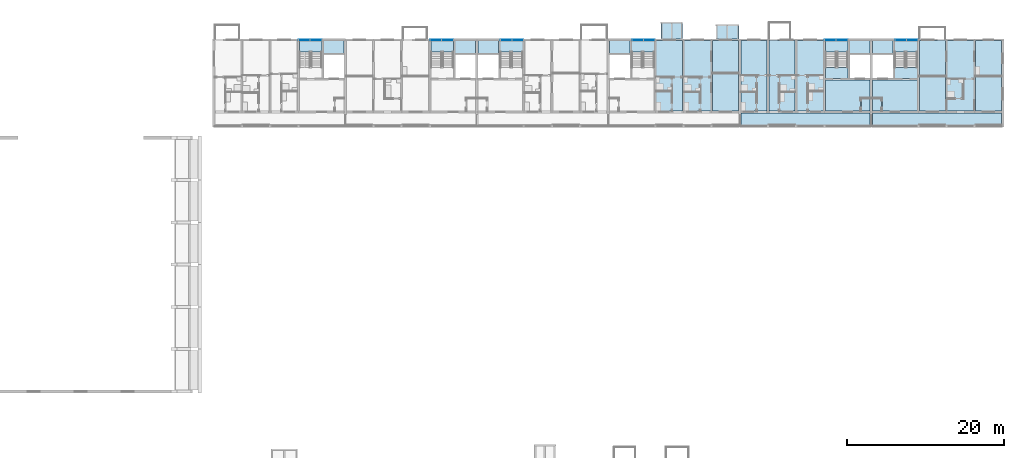
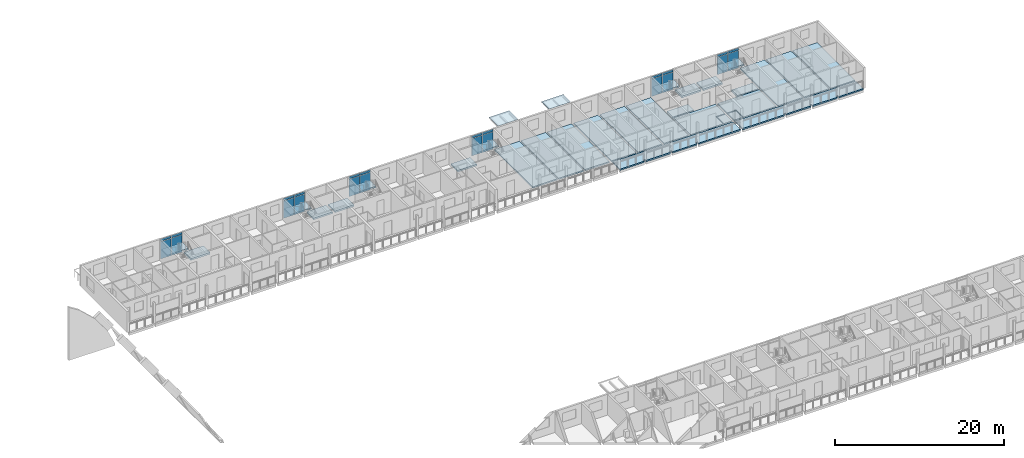
# One storey, part 29 of 100: 31 slabs, 24 plates, 12 elements without a shape of their own.
"""IFC4 building model written with IfcOpenShell, lengths in metres."""

from ifc_helpers import new_model, si_unit, direction, frame, origin, origin_2d, place, context, subcontext, project, spatial, polyline, rectangle, outline, extrude, material, layer, layer_set, type_object, element, aggregate, save


model = new_model("IFC4")

# Units and contexts
model_context = context("Model", 3, precision=1e-05, world=origin(), true_north=direction((0.0, 1.0)))
body_context = subcontext(model_context, "Body", "Model", "MODEL_VIEW")
ifc_project = project(units=[si_unit("LENGTHUNIT", "METRE"), si_unit("AREAUNIT", "SQUARE_METRE"), si_unit("VOLUMEUNIT", "CUBIC_METRE"), si_unit("PLANEANGLEUNIT", "RADIAN"), si_unit("MASSUNIT", "GRAM", prefix="KILO")], contexts=[model_context])

# Site, building, storey
site_placement = place(None, origin())
site = spatial("IfcSite", under=ifc_project, at=site_placement, CompositionType="ELEMENT")
building_placement = place(site_placement, origin())
building = spatial("IfcBuilding", under=site, at=building_placement, Name="Ridgestep Commons", CompositionType="ELEMENT")
storey_placement = place(building_placement, frame((0.0, 0.0, 9.0)))
storey = spatial("IfcBuildingStorey", under=building, at=storey_placement, Name="L03", CompositionType="ELEMENT", Elevation=9.0)

# Slabs
ifc_material_1 = material(Name="Precast concrete C40/50", Category="concrete")
ifc_layer_1 = layer(ifc_material_1, 0.199951171875)
ifc_layer_set_1 = layer_set([ifc_layer_1], Name="Gallery slab 200")
slab_type_1 = type_object("IfcSlabType", Name="Gallery slab 200", PredefinedType="FLOOR", material=ifc_layer_set_1)
slab_1_placement = place(storey_placement, frame((0.0, 0.0, -0.199951171875)))
element("IfcSlab", 1, at=slab_1_placement, inside=storey, type_object=slab_type_1, Name="Gallery slab C5 L03", PredefinedType="FLOOR", context=body_context, shape_type="SweptSolid", body=[
    extrude(outline(polyline([(230.64990234375, 67.800048828125), (214.14990234375, 67.800048828125), (214.14990234375, 66.0), (217.47509765625, 66.0), (217.47509765625, 66.25), (217.72509765625, 66.25), (217.72509765625, 66.0), (221.074951171875, 66.0), (221.074951171875, 66.25), (221.324951171875, 66.25), (221.324951171875, 66.0), (224.675048828125, 66.0), (224.675048828125, 66.25), (224.925048828125, 66.25), (224.925048828125, 66.0), (230.64990234375, 66.0), (230.64990234375, 67.800048828125)])), origin(), (0.0, 0.0, 1.0), 0.199951171875),
])
slab_2_placement = place(storey_placement, frame((0.0, 0.0, -0.199951171875)))
element("IfcSlab", 2, at=slab_2_placement, inside=storey, type_object=slab_type_1, Name="Gallery slab C6 L03", PredefinedType="FLOOR", context=body_context, shape_type="SweptSolid", body=[
    extrude(outline(polyline([(247.449951171875, 67.800048828125), (230.949951171875, 67.800048828125), (230.949951171875, 66.0), (236.675048828125, 66.0), (236.675048828125, 66.25), (236.925048828125, 66.25), (236.925048828125, 66.0), (240.27490234375, 66.0), (240.27490234375, 66.25), (240.52490234375, 66.25), (240.52490234375, 66.0), (243.875, 66.0), (243.875, 66.25), (244.125, 66.25), (244.125, 66.0), (247.449951171875, 66.0), (247.449951171875, 67.800048828125)])), origin(), (0.0, 0.0, 1.0), 0.199951171875),
])

# Curtain wall, plates
ifc_material_2 = material(Name="Aluminium 6063-T6 and glass", Category="aluminium")
curtain_wall_type = type_object("IfcCurtainWallType", Name="Curtain wall stair strip", PredefinedType="NOTDEFINED", material=ifc_material_2)
curtain_wall_1_placement = place(storey_placement, origin())
curtain_wall_1 = element("IfcCurtainWall", 3, at=curtain_wall_1_placement, inside=storey, type_object=curtain_wall_type, Name="Curtain wall C1C level 03", PredefinedType="NOTDEFINED")
ifc_material_3 = material(Name="Glass laminated 6/16/6 low-emissivity", Category="glass")
ifc_layer_2 = layer(ifc_material_3, 0.028076171875)
ifc_layer_set_2 = layer_set([ifc_layer_2], Name="Glazing panel 28")
plate_type_1 = type_object("IfcPlateType", Name="Glazing panel 28", PredefinedType="CURTAIN_PANEL", material=ifc_layer_set_2)
plate_1_placement = place(storey_placement, frame((158.371337890625, 77.080078125, 0.06005859375), z_axis=(0.0, 0.0, 1.0), x_axis=(1.0, 0.0, 0.0)))
plate_1 = element("IfcPlate", 4, at=plate_1_placement, type_object=plate_type_1, Name="CW1 panel 1.1", PredefinedType="CURTAIN_PANEL", context=body_context, shape_type="SweptSolid", body=[
    extrude(rectangle(XDim=1.422607421875, YDim=0.028076171875, at=origin_2d()), origin(), (0.0, 0.0, 1.0), 2.5),
])
plate_2_placement = place(storey_placement, frame((159.853759765625, 77.080078125, 0.06005859375), z_axis=(0.0, 0.0, 1.0), x_axis=(1.0, 0.0, 0.0)))
plate_2 = element("IfcPlate", 5, at=plate_2_placement, type_object=plate_type_1, Name="CW1 panel 2.1", PredefinedType="CURTAIN_PANEL", context=body_context, shape_type="SweptSolid", body=[
    extrude(rectangle(XDim=1.422607421875, YDim=0.028076171875, at=origin_2d()), origin(), (0.0, 0.0, 1.0), 2.5),
])

curtain_wall_2_placement = place(storey_placement, origin())
curtain_wall_2 = element("IfcCurtainWall", 6, at=curtain_wall_2_placement, inside=storey, type_object=curtain_wall_type, Name="Curtain wall C2C level 03", PredefinedType="NOTDEFINED")
plate_3_placement = place(storey_placement, frame((175.171142578125, 77.080078125, 0.06005859375), z_axis=(0.0, 0.0, 1.0), x_axis=(1.0, 0.0, 0.0)))
plate_3 = element("IfcPlate", 7, at=plate_3_placement, type_object=plate_type_1, Name="CW1 panel 1.1", PredefinedType="CURTAIN_PANEL", context=body_context, shape_type="SweptSolid", body=[
    extrude(rectangle(XDim=1.422607421875, YDim=0.028076171875, at=origin_2d()), origin(), (0.0, 0.0, 1.0), 2.5),
])
plate_4_placement = place(storey_placement, frame((176.65380859375, 77.080078125, 0.06005859375), z_axis=(0.0, 0.0, 1.0), x_axis=(1.0, 0.0, 0.0)))
plate_4 = element("IfcPlate", 8, at=plate_4_placement, type_object=plate_type_1, Name="CW1 panel 2.1", PredefinedType="CURTAIN_PANEL", context=body_context, shape_type="SweptSolid", body=[
    extrude(rectangle(XDim=1.422607421875, YDim=0.028076171875, at=origin_2d()), origin(), (0.0, 0.0, 1.0), 2.5),
])

curtain_wall_3_placement = place(storey_placement, origin())
curtain_wall_3 = element("IfcCurtainWall", 9, at=curtain_wall_3_placement, inside=storey, type_object=curtain_wall_type, Name="Curtain wall C3C level 03", PredefinedType="NOTDEFINED")
plate_5_placement = place(storey_placement, frame((184.146240234375, 77.080078125, 0.06005859375), z_axis=(0.0, 0.0, 1.0), x_axis=(1.0, 0.0, 0.0)))
plate_5 = element("IfcPlate", 10, at=plate_5_placement, type_object=plate_type_1, Name="CW1 panel 1.1", PredefinedType="CURTAIN_PANEL", context=body_context, shape_type="SweptSolid", body=[
    extrude(rectangle(XDim=1.422607421875, YDim=0.028076171875, at=origin_2d()), origin(), (0.0, 0.0, 1.0), 2.5),
])
plate_6_placement = place(storey_placement, frame((185.628662109375, 77.080078125, 0.06005859375), z_axis=(0.0, 0.0, 1.0), x_axis=(1.0, 0.0, 0.0)))
plate_6 = element("IfcPlate", 11, at=plate_6_placement, type_object=plate_type_1, Name="CW1 panel 2.1", PredefinedType="CURTAIN_PANEL", context=body_context, shape_type="SweptSolid", body=[
    extrude(rectangle(XDim=1.422607421875, YDim=0.028076171875, at=origin_2d()), origin(), (0.0, 0.0, 1.0), 2.5),
])

curtain_wall_4_placement = place(storey_placement, origin())
curtain_wall_4 = element("IfcCurtainWall", 12, at=curtain_wall_4_placement, inside=storey, type_object=curtain_wall_type, Name="Curtain wall C4C level 03", PredefinedType="NOTDEFINED")
plate_7_placement = place(storey_placement, frame((200.9462890625, 77.080078125, 0.06005859375), z_axis=(0.0, 0.0, 1.0), x_axis=(1.0, 0.0, 0.0)))
plate_7 = element("IfcPlate", 13, at=plate_7_placement, type_object=plate_type_1, Name="CW1 panel 1.1", PredefinedType="CURTAIN_PANEL", context=body_context, shape_type="SweptSolid", body=[
    extrude(rectangle(XDim=1.422607421875, YDim=0.028076171875, at=origin_2d()), origin(), (0.0, 0.0, 1.0), 2.5),
])
plate_8_placement = place(storey_placement, frame((202.4287109375, 77.080078125, 0.06005859375), z_axis=(0.0, 0.0, 1.0), x_axis=(1.0, 0.0, 0.0)))
plate_8 = element("IfcPlate", 14, at=plate_8_placement, type_object=plate_type_1, Name="CW1 panel 2.1", PredefinedType="CURTAIN_PANEL", context=body_context, shape_type="SweptSolid", body=[
    extrude(rectangle(XDim=1.422607421875, YDim=0.028076171875, at=origin_2d()), origin(), (0.0, 0.0, 1.0), 2.5),
])

curtain_wall_5_placement = place(storey_placement, origin())
curtain_wall_5 = element("IfcCurtainWall", 15, at=curtain_wall_5_placement, inside=storey, type_object=curtain_wall_type, Name="Curtain wall C5C level 03", PredefinedType="NOTDEFINED")
plate_9_placement = place(storey_placement, frame((225.5712890625, 77.080078125, 0.06005859375), z_axis=(0.0, 0.0, 1.0), x_axis=(1.0, 0.0, 0.0)))
plate_9 = element("IfcPlate", 16, at=plate_9_placement, type_object=plate_type_1, Name="CW1 panel 1.1", PredefinedType="CURTAIN_PANEL", context=body_context, shape_type="SweptSolid", body=[
    extrude(rectangle(XDim=1.422607421875, YDim=0.028076171875, at=origin_2d()), origin(), (0.0, 0.0, 1.0), 2.5),
])
plate_10_placement = place(storey_placement, frame((227.0537109375, 77.080078125, 0.06005859375), z_axis=(0.0, 0.0, 1.0), x_axis=(1.0, 0.0, 0.0)))
plate_10 = element("IfcPlate", 17, at=plate_10_placement, type_object=plate_type_1, Name="CW1 panel 2.1", PredefinedType="CURTAIN_PANEL", context=body_context, shape_type="SweptSolid", body=[
    extrude(rectangle(XDim=1.422607421875, YDim=0.028076171875, at=origin_2d()), origin(), (0.0, 0.0, 1.0), 2.5),
])

curtain_wall_6_placement = place(storey_placement, origin())
curtain_wall_6 = element("IfcCurtainWall", 18, at=curtain_wall_6_placement, inside=storey, type_object=curtain_wall_type, Name="Curtain wall C6C level 03", PredefinedType="NOTDEFINED")
plate_11_placement = place(storey_placement, frame((234.546142578125, 77.080078125, 0.06005859375), z_axis=(0.0, 0.0, 1.0), x_axis=(1.0, 0.0, 0.0)))
plate_11 = element("IfcPlate", 19, at=plate_11_placement, type_object=plate_type_1, Name="CW1 panel 1.1", PredefinedType="CURTAIN_PANEL", context=body_context, shape_type="SweptSolid", body=[
    extrude(rectangle(XDim=1.422607421875, YDim=0.028076171875, at=origin_2d()), origin(), (0.0, 0.0, 1.0), 2.5),
])
plate_12_placement = place(storey_placement, frame((236.02880859375, 77.080078125, 0.06005859375), z_axis=(0.0, 0.0, 1.0), x_axis=(1.0, 0.0, 0.0)))
plate_12 = element("IfcPlate", 20, at=plate_12_placement, type_object=plate_type_1, Name="CW1 panel 2.1", PredefinedType="CURTAIN_PANEL", context=body_context, shape_type="SweptSolid", body=[
    extrude(rectangle(XDim=1.422607421875, YDim=0.028076171875, at=origin_2d()), origin(), (0.0, 0.0, 1.0), 2.5),
])

# Slabs
ifc_material_4 = material(Name="Precast concrete C50/60", Category="concrete")
ifc_layer_3 = layer(ifc_material_4, 0.199951171875)
ifc_layer_set_3 = layer_set([ifc_layer_3], Name="Hollow-core plank 200")
slab_type_2 = type_object("IfcSlabType", Name="Hollow-core plank 200", PredefinedType="FLOOR", material=ifc_layer_set_3)
slab_3_placement = place(storey_placement, frame((0.0, 0.0, -0.199951171875)))
element("IfcSlab", 21, at=slab_3_placement, inside=storey, type_object=slab_type_2, Name="Floor plank C4T3 L03", PredefinedType="FLOOR", context=body_context, shape_type="SweptSolid", body=[
    extrude(outline(polyline([(206.699951171875, 68.0), (206.699951171875, 77.0), (203.324951171875, 77.0), (203.324951171875, 68.0), (206.699951171875, 68.0)])), origin(), (0.0, 0.0, 1.0), 0.199951171875),
])
slab_4_placement = place(storey_placement, frame((0.0, 0.0, -0.199951171875)))
element("IfcSlab", 22, at=slab_4_placement, inside=storey, type_object=slab_type_2, Name="Floor plank C4T2 L03", PredefinedType="FLOOR", context=body_context, shape_type="SweptSolid", body=[
    extrude(outline(polyline([(210.300048828125, 68.0), (210.300048828125, 77.0), (206.89990234375, 77.0), (206.89990234375, 68.0), (210.300048828125, 68.0)])), origin(), (0.0, 0.0, 1.0), 0.199951171875),
])
slab_5_placement = place(storey_placement, frame((0.0, 0.0, -0.199951171875)))
element("IfcSlab", 23, at=slab_5_placement, inside=storey, type_object=slab_type_2, Name="Floor plank C4T1 L03", PredefinedType="FLOOR", context=body_context, shape_type="SweptSolid", body=[
    extrude(outline(polyline([(213.85009765625, 68.0), (213.85009765625, 77.0), (210.5, 77.0), (210.5, 68.0), (213.85009765625, 68.0)])), origin(), (0.0, 0.0, 1.0), 0.199951171875),
])
slab_6_placement = place(storey_placement, frame((0.0, 0.0, -0.199951171875)))
element("IfcSlab", 24, at=slab_6_placement, inside=storey, type_object=slab_type_2, Name="Floor plank C5T1 L03", PredefinedType="FLOOR", context=body_context, shape_type="SweptSolid", body=[
    extrude(outline(polyline([(217.47509765625, 68.0), (217.47509765625, 77.0), (214.14990234375, 77.0), (214.14990234375, 68.0), (217.47509765625, 68.0)])), origin(), (0.0, 0.0, 1.0), 0.199951171875),
])
slab_7_placement = place(storey_placement, frame((0.0, 0.0, -0.199951171875)))
element("IfcSlab", 25, at=slab_7_placement, inside=storey, type_object=slab_type_2, Name="Floor plank C5T2 L03", PredefinedType="FLOOR", context=body_context, shape_type="SweptSolid", body=[
    extrude(outline(polyline([(221.074951171875, 68.0), (221.074951171875, 77.0), (217.72509765625, 77.0), (217.72509765625, 68.0), (221.074951171875, 68.0)])), origin(), (0.0, 0.0, 1.0), 0.199951171875),
])
slab_8_placement = place(storey_placement, frame((0.0, 0.0, -0.199951171875)))
element("IfcSlab", 26, at=slab_8_placement, inside=storey, type_object=slab_type_2, Name="Floor plank C5T3 L03", PredefinedType="FLOOR", context=body_context, shape_type="SweptSolid", body=[
    extrude(outline(polyline([(224.675048828125, 68.0), (224.675048828125, 77.0), (221.324951171875, 77.0), (221.324951171875, 68.0), (224.675048828125, 68.0)])), origin(), (0.0, 0.0, 1.0), 0.199951171875),
])
slab_9_placement = place(storey_placement, frame((0.0, 0.0, -0.199951171875)))
element("IfcSlab", 27, at=slab_9_placement, inside=storey, type_object=slab_type_2, Name="Floor plank C6T3 L03", PredefinedType="FLOOR", context=body_context, shape_type="SweptSolid", body=[
    extrude(outline(polyline([(240.300048828125, 68.0), (240.300048828125, 77.0), (236.925048828125, 77.0), (236.925048828125, 68.0), (240.300048828125, 68.0)])), origin(), (0.0, 0.0, 1.0), 0.199951171875),
])
slab_10_placement = place(storey_placement, frame((0.0, 0.0, -0.199951171875)))
element("IfcSlab", 28, at=slab_10_placement, inside=storey, type_object=slab_type_2, Name="Floor plank C6T2 L03", PredefinedType="FLOOR", context=body_context, shape_type="SweptSolid", body=[
    extrude(outline(polyline([(243.89990234375, 68.0), (243.89990234375, 77.0), (240.5, 77.0), (240.5, 68.0), (243.89990234375, 68.0)])), origin(), (0.0, 0.0, 1.0), 0.199951171875),
])
slab_11_placement = place(storey_placement, frame((0.0, 0.0, -0.199951171875)))
element("IfcSlab", 29, at=slab_11_placement, inside=storey, type_object=slab_type_2, Name="Floor plank C6T1 L03", PredefinedType="FLOOR", context=body_context, shape_type="SweptSolid", body=[
    extrude(outline(polyline([(247.449951171875, 68.0), (247.449951171875, 77.0), (244.10009765625, 77.0), (244.10009765625, 68.0), (247.449951171875, 68.0)])), origin(), (0.0, 0.0, 1.0), 0.199951171875),
])
ifc_material_5 = material(Name="Precast concrete C50/60", Category="concrete")
ifc_layer_4 = layer(ifc_material_5, 0.25)
ifc_layer_set_4 = layer_set([ifc_layer_4], Name="Hollow-core plank 250")
slab_type_3 = type_object("IfcSlabType", Name="Hollow-core plank 250", PredefinedType="FLOOR", material=ifc_layer_set_4)
slab_12_placement = place(storey_placement, frame((0.0, 0.0, -0.25)))
element("IfcSlab", 30, at=slab_12_placement, inside=storey, type_object=slab_type_3, Name="Floor plank C1C L03", PredefinedType="FLOOR", context=body_context, shape_type="SweptSolid", body=[
    extrude(outline(polyline([(163.449951171875, 75.39990234375), (163.449951171875, 77.0), (160.824951171875, 77.0), (160.824951171875, 75.39990234375), (163.449951171875, 75.39990234375)])), origin(), (0.0, 0.0, 1.0), 0.25),
])
slab_13_placement = place(storey_placement, frame((0.0, 0.0, -0.25)))
element("IfcSlab", 31, at=slab_13_placement, inside=storey, type_object=slab_type_3, Name="Floor plank C2C L03", PredefinedType="FLOOR", context=body_context, shape_type="SweptSolid", body=[
    extrude(outline(polyline([(180.25, 75.39990234375), (180.25, 77.0), (177.625, 77.0), (177.625, 75.39990234375), (180.25, 75.39990234375)])), origin(), (0.0, 0.0, 1.0), 0.25),
])
slab_14_placement = place(storey_placement, frame((0.0, 0.0, -0.25)))
element("IfcSlab", 32, at=slab_14_placement, inside=storey, type_object=slab_type_3, Name="Floor plank C3C L03", PredefinedType="FLOOR", context=body_context, shape_type="SweptSolid", body=[
    extrude(outline(polyline([(183.175048828125, 77.0), (180.550048828125, 77.0), (180.550048828125, 75.39990234375), (183.175048828125, 75.39990234375), (183.175048828125, 77.0)])), origin(), (0.0, 0.0, 1.0), 0.25),
])
slab_15_placement = place(storey_placement, frame((0.0, 0.0, -0.25)))
element("IfcSlab", 33, at=slab_15_placement, inside=storey, type_object=slab_type_3, Name="Floor plank C4C L03", PredefinedType="FLOOR", context=body_context, shape_type="SweptSolid", body=[
    extrude(outline(polyline([(199.97509765625, 77.0), (197.35009765625, 77.0), (197.35009765625, 75.39990234375), (199.97509765625, 75.39990234375), (199.97509765625, 77.0)])), origin(), (0.0, 0.0, 1.0), 0.25),
])
slab_16_placement = place(storey_placement, frame((0.0, 0.0, -0.25)))
element("IfcSlab", 34, at=slab_16_placement, inside=storey, type_object=slab_type_3, Name="Floor plank C5C L03", PredefinedType="FLOOR", context=body_context, shape_type="SweptSolid", body=[
    extrude(outline(polyline([(229.52001953125, 69.719970703125), (230.64990234375, 69.719970703125), (230.64990234375, 72.0), (224.925048828125, 72.0), (224.925048828125, 68.0), (229.39990234375, 68.0), (229.39990234375, 69.719970703125), (229.52001953125, 69.719970703125)])), origin(), (0.0, 0.0, 1.0), 0.25),
])
slab_17_placement = place(storey_placement, frame((0.0, 0.0, -0.25)))
element("IfcSlab", 35, at=slab_17_placement, inside=storey, type_object=slab_type_3, Name="Floor plank C5C L03", PredefinedType="FLOOR", context=body_context, shape_type="SweptSolid", body=[
    extrude(outline(polyline([(230.64990234375, 75.39990234375), (230.64990234375, 77.0), (228.02490234375, 77.0), (228.02490234375, 75.39990234375), (230.64990234375, 75.39990234375)])), origin(), (0.0, 0.0, 1.0), 0.25),
])
slab_18_placement = place(storey_placement, frame((0.0, 0.0, -0.25)))
element("IfcSlab", 36, at=slab_18_placement, inside=storey, type_object=slab_type_3, Name="Floor plank C5C L03", PredefinedType="FLOOR", context=body_context, shape_type="SweptSolid", body=[
    extrude(outline(polyline([(227.824951171875, 72.199951171875), (227.824951171875, 73.60009765625), (224.925048828125, 73.60009765625), (224.925048828125, 72.199951171875), (227.824951171875, 72.199951171875)])), origin(), (0.0, 0.0, 1.0), 0.25),
])
slab_19_placement = place(storey_placement, frame((0.0, 0.0, -0.25)))
element("IfcSlab", 37, at=slab_19_placement, inside=storey, type_object=slab_type_3, Name="Floor plank C5C L03", PredefinedType="FLOOR", context=body_context, shape_type="SweptSolid", body=[
    extrude(outline(polyline([(229.52001953125, 68.0), (230.64990234375, 68.0), (230.64990234375, 69.60009765625), (229.52001953125, 69.60009765625), (229.52001953125, 68.0)])), origin(), (0.0, 0.0, 1.0), 0.25),
])
slab_20_placement = place(storey_placement, frame((0.0, 0.0, -0.25)))
element("IfcSlab", 38, at=slab_20_placement, inside=storey, type_object=slab_type_3, Name="Floor plank C6C L03", PredefinedType="FLOOR", context=body_context, shape_type="SweptSolid", body=[
    extrude(outline(polyline([(232.199951171875, 68.0), (236.675048828125, 68.0), (236.675048828125, 72.0), (230.949951171875, 72.0), (230.949951171875, 69.719970703125), (232.080078125, 69.719970703125), (232.199951171875, 69.719970703125), (232.199951171875, 68.0)])), origin(), (0.0, 0.0, 1.0), 0.25),
])
slab_21_placement = place(storey_placement, frame((0.0, 0.0, -0.25)))
element("IfcSlab", 39, at=slab_21_placement, inside=storey, type_object=slab_type_3, Name="Floor plank C6C L03", PredefinedType="FLOOR", context=body_context, shape_type="SweptSolid", body=[
    extrude(outline(polyline([(233.574951171875, 77.0), (230.949951171875, 77.0), (230.949951171875, 75.39990234375), (233.574951171875, 75.39990234375), (233.574951171875, 77.0)])), origin(), (0.0, 0.0, 1.0), 0.25),
])
slab_22_placement = place(storey_placement, frame((0.0, 0.0, -0.25)))
element("IfcSlab", 40, at=slab_22_placement, inside=storey, type_object=slab_type_3, Name="Floor plank C6C L03", PredefinedType="FLOOR", context=body_context, shape_type="SweptSolid", body=[
    extrude(outline(polyline([(236.675048828125, 72.199951171875), (236.675048828125, 73.60009765625), (233.77490234375, 73.60009765625), (233.77490234375, 72.199951171875), (236.675048828125, 72.199951171875)])), origin(), (0.0, 0.0, 1.0), 0.25),
])
slab_23_placement = place(storey_placement, frame((0.0, 0.0, -0.25)))
element("IfcSlab", 41, at=slab_23_placement, inside=storey, type_object=slab_type_3, Name="Floor plank C6C L03", PredefinedType="FLOOR", context=body_context, shape_type="SweptSolid", body=[
    extrude(outline(polyline([(232.080078125, 69.60009765625), (230.949951171875, 69.60009765625), (230.949951171875, 68.0), (232.080078125, 68.0), (232.080078125, 69.60009765625)])), origin(), (0.0, 0.0, 1.0), 0.25),
])

# Plate
ifc_material_6 = material(Name="Aluminium 6063-T6 and mineral wool", Category="aluminium")
ifc_layer_5 = layer(ifc_material_6, 0.0400390625)
ifc_layer_set_5 = layer_set([ifc_layer_5], Name="Spandrel panel 40")
plate_type_2 = type_object("IfcPlateType", Name="Spandrel panel 40", PredefinedType="CURTAIN_PANEL", material=ifc_layer_set_5)
plate_13_placement = place(storey_placement, frame((158.371337890625, 77.080078125, 2.6201171875), z_axis=(0.0, 0.0, 1.0), x_axis=(1.0, 0.0, 0.0)))
plate_13 = element("IfcPlate", 42, at=plate_13_placement, type_object=plate_type_2, Name="CW1 panel 1.2", PredefinedType="CURTAIN_PANEL", context=body_context, shape_type="SweptSolid", body=[
    extrude(rectangle(XDim=1.422607421875, YDim=0.0400390625, at=origin_2d()), origin(), (0.0, 0.0, 1.0), 0.320068359375),
])

plate_14_placement = place(storey_placement, frame((159.853759765625, 77.080078125, 2.6201171875), z_axis=(0.0, 0.0, 1.0), x_axis=(1.0, 0.0, 0.0)))
plate_14 = element("IfcPlate", 43, at=plate_14_placement, type_object=plate_type_2, Name="CW1 panel 2.2", PredefinedType="CURTAIN_PANEL", context=body_context, shape_type="SweptSolid", body=[
    extrude(rectangle(XDim=1.422607421875, YDim=0.0400390625, at=origin_2d()), origin(), (0.0, 0.0, 1.0), 0.320068359375),
])

aggregate(curtain_wall_1, [plate_1, plate_13, plate_2, plate_14])

plate_15_placement = place(storey_placement, frame((175.171142578125, 77.080078125, 2.6201171875), z_axis=(0.0, 0.0, 1.0), x_axis=(1.0, 0.0, 0.0)))
plate_15 = element("IfcPlate", 44, at=plate_15_placement, type_object=plate_type_2, Name="CW1 panel 1.2", PredefinedType="CURTAIN_PANEL", context=body_context, shape_type="SweptSolid", body=[
    extrude(rectangle(XDim=1.422607421875, YDim=0.0400390625, at=origin_2d()), origin(), (0.0, 0.0, 1.0), 0.320068359375),
])

plate_16_placement = place(storey_placement, frame((176.65380859375, 77.080078125, 2.6201171875), z_axis=(0.0, 0.0, 1.0), x_axis=(1.0, 0.0, 0.0)))
plate_16 = element("IfcPlate", 45, at=plate_16_placement, type_object=plate_type_2, Name="CW1 panel 2.2", PredefinedType="CURTAIN_PANEL", context=body_context, shape_type="SweptSolid", body=[
    extrude(rectangle(XDim=1.422607421875, YDim=0.0400390625, at=origin_2d()), origin(), (0.0, 0.0, 1.0), 0.320068359375),
])

aggregate(curtain_wall_2, [plate_3, plate_15, plate_4, plate_16])

plate_17_placement = place(storey_placement, frame((184.146240234375, 77.080078125, 2.6201171875), z_axis=(0.0, 0.0, 1.0), x_axis=(1.0, 0.0, 0.0)))
plate_17 = element("IfcPlate", 46, at=plate_17_placement, type_object=plate_type_2, Name="CW1 panel 1.2", PredefinedType="CURTAIN_PANEL", context=body_context, shape_type="SweptSolid", body=[
    extrude(rectangle(XDim=1.422607421875, YDim=0.0400390625, at=origin_2d()), origin(), (0.0, 0.0, 1.0), 0.320068359375),
])

plate_18_placement = place(storey_placement, frame((185.628662109375, 77.080078125, 2.6201171875), z_axis=(0.0, 0.0, 1.0), x_axis=(1.0, 0.0, 0.0)))
plate_18 = element("IfcPlate", 47, at=plate_18_placement, type_object=plate_type_2, Name="CW1 panel 2.2", PredefinedType="CURTAIN_PANEL", context=body_context, shape_type="SweptSolid", body=[
    extrude(rectangle(XDim=1.422607421875, YDim=0.0400390625, at=origin_2d()), origin(), (0.0, 0.0, 1.0), 0.320068359375),
])

aggregate(curtain_wall_3, [plate_5, plate_17, plate_6, plate_18])

plate_19_placement = place(storey_placement, frame((200.9462890625, 77.080078125, 2.6201171875), z_axis=(0.0, 0.0, 1.0), x_axis=(1.0, 0.0, 0.0)))
plate_19 = element("IfcPlate", 48, at=plate_19_placement, type_object=plate_type_2, Name="CW1 panel 1.2", PredefinedType="CURTAIN_PANEL", context=body_context, shape_type="SweptSolid", body=[
    extrude(rectangle(XDim=1.422607421875, YDim=0.0400390625, at=origin_2d()), origin(), (0.0, 0.0, 1.0), 0.320068359375),
])

plate_20_placement = place(storey_placement, frame((202.4287109375, 77.080078125, 2.6201171875), z_axis=(0.0, 0.0, 1.0), x_axis=(1.0, 0.0, 0.0)))
plate_20 = element("IfcPlate", 49, at=plate_20_placement, type_object=plate_type_2, Name="CW1 panel 2.2", PredefinedType="CURTAIN_PANEL", context=body_context, shape_type="SweptSolid", body=[
    extrude(rectangle(XDim=1.422607421875, YDim=0.0400390625, at=origin_2d()), origin(), (0.0, 0.0, 1.0), 0.320068359375),
])

aggregate(curtain_wall_4, [plate_7, plate_19, plate_8, plate_20])

plate_21_placement = place(storey_placement, frame((225.5712890625, 77.080078125, 2.6201171875), z_axis=(0.0, 0.0, 1.0), x_axis=(1.0, 0.0, 0.0)))
plate_21 = element("IfcPlate", 50, at=plate_21_placement, type_object=plate_type_2, Name="CW1 panel 1.2", PredefinedType="CURTAIN_PANEL", context=body_context, shape_type="SweptSolid", body=[
    extrude(rectangle(XDim=1.422607421875, YDim=0.0400390625, at=origin_2d()), origin(), (0.0, 0.0, 1.0), 0.320068359375),
])

plate_22_placement = place(storey_placement, frame((227.0537109375, 77.080078125, 2.6201171875), z_axis=(0.0, 0.0, 1.0), x_axis=(1.0, 0.0, 0.0)))
plate_22 = element("IfcPlate", 51, at=plate_22_placement, type_object=plate_type_2, Name="CW1 panel 2.2", PredefinedType="CURTAIN_PANEL", context=body_context, shape_type="SweptSolid", body=[
    extrude(rectangle(XDim=1.422607421875, YDim=0.0400390625, at=origin_2d()), origin(), (0.0, 0.0, 1.0), 0.320068359375),
])

aggregate(curtain_wall_5, [plate_9, plate_21, plate_10, plate_22])

plate_23_placement = place(storey_placement, frame((234.546142578125, 77.080078125, 2.6201171875), z_axis=(0.0, 0.0, 1.0), x_axis=(1.0, 0.0, 0.0)))
plate_23 = element("IfcPlate", 52, at=plate_23_placement, type_object=plate_type_2, Name="CW1 panel 1.2", PredefinedType="CURTAIN_PANEL", context=body_context, shape_type="SweptSolid", body=[
    extrude(rectangle(XDim=1.422607421875, YDim=0.0400390625, at=origin_2d()), origin(), (0.0, 0.0, 1.0), 0.320068359375),
])

plate_24_placement = place(storey_placement, frame((236.02880859375, 77.080078125, 2.6201171875), z_axis=(0.0, 0.0, 1.0), x_axis=(1.0, 0.0, 0.0)))
plate_24 = element("IfcPlate", 53, at=plate_24_placement, type_object=plate_type_2, Name="CW1 panel 2.2", PredefinedType="CURTAIN_PANEL", context=body_context, shape_type="SweptSolid", body=[
    extrude(rectangle(XDim=1.422607421875, YDim=0.0400390625, at=origin_2d()), origin(), (0.0, 0.0, 1.0), 0.320068359375),
])

aggregate(curtain_wall_6, [plate_11, plate_23, plate_12, plate_24])

# Stair, slab
ifc_material_7 = material(Name="Precast concrete C40/50", Category="concrete")
stair_type = type_object("IfcStairType", Name="Escape stair 1400", PredefinedType="HALF_TURN_STAIR", material=ifc_material_7)
stair_1_placement = place(storey_placement, origin())
stair_1 = element("IfcStair", 54, at=stair_1_placement, inside=storey, type_object=stair_type, Name="L03 Escape stair C1C", PredefinedType="HALF_TURN_STAIR")
ifc_material_8 = material(Name="Precast concrete C40/50", Category="concrete")
ifc_layer_6 = layer(ifc_material_8, 0.199951171875)
ifc_layer_set_6 = layer_set([ifc_layer_6], Name="Stair landing 200")
slab_type_4 = type_object("IfcSlabType", Name="Stair landing 200", PredefinedType="LANDING", material=ifc_layer_set_6)
slab_24_placement = place(storey_placement, frame((0.0, 0.0, 1.300048828125)))
slab_24 = element("IfcSlab", 55, at=slab_24_placement, type_object=slab_type_4, Name="C1C landing 1", PredefinedType="LANDING", context=body_context, shape_type="SweptSolid", body=[
    extrude(outline(polyline([(160.625, 75.56005859375), (160.625, 77.0), (157.72509765625, 77.0), (157.72509765625, 75.56005859375), (160.625, 75.56005859375)])), origin(), (0.0, 0.0, 1.0), 0.199951171875),
])
aggregate(stair_1, [slab_24])

stair_2_placement = place(storey_placement, origin())
stair_2 = element("IfcStair", 56, at=stair_2_placement, inside=storey, type_object=stair_type, Name="L03 Escape stair C2C", PredefinedType="HALF_TURN_STAIR")
slab_25_placement = place(storey_placement, frame((0.0, 0.0, 1.300048828125)))
slab_25 = element("IfcSlab", 57, at=slab_25_placement, type_object=slab_type_4, Name="C2C landing 1", PredefinedType="LANDING", context=body_context, shape_type="SweptSolid", body=[
    extrude(outline(polyline([(177.425048828125, 75.56005859375), (177.425048828125, 77.0), (174.52490234375, 77.0), (174.52490234375, 75.56005859375), (177.425048828125, 75.56005859375)])), origin(), (0.0, 0.0, 1.0), 0.199951171875),
])
aggregate(stair_2, [slab_25])

stair_3_placement = place(storey_placement, origin())
stair_3 = element("IfcStair", 58, at=stair_3_placement, inside=storey, type_object=stair_type, Name="L03 Escape stair C3C", PredefinedType="HALF_TURN_STAIR")
slab_26_placement = place(storey_placement, frame((0.0, 0.0, 1.300048828125)))
slab_26 = element("IfcSlab", 59, at=slab_26_placement, type_object=slab_type_4, Name="C3C landing 1", PredefinedType="LANDING", context=body_context, shape_type="SweptSolid", body=[
    extrude(outline(polyline([(186.27490234375, 75.56005859375), (186.27490234375, 77.0), (183.375, 77.0), (183.375, 75.56005859375), (186.27490234375, 75.56005859375)])), origin(), (0.0, 0.0, 1.0), 0.199951171875),
])
aggregate(stair_3, [slab_26])

stair_4_placement = place(storey_placement, origin())
stair_4 = element("IfcStair", 60, at=stair_4_placement, inside=storey, type_object=stair_type, Name="L03 Escape stair C4C", PredefinedType="HALF_TURN_STAIR")
slab_27_placement = place(storey_placement, frame((0.0, 0.0, 1.300048828125)))
slab_27 = element("IfcSlab", 61, at=slab_27_placement, type_object=slab_type_4, Name="C4C landing 1", PredefinedType="LANDING", context=body_context, shape_type="SweptSolid", body=[
    extrude(outline(polyline([(203.074951171875, 75.56005859375), (203.074951171875, 77.0), (200.175048828125, 77.0), (200.175048828125, 75.56005859375), (203.074951171875, 75.56005859375)])), origin(), (0.0, 0.0, 1.0), 0.199951171875),
])
aggregate(stair_4, [slab_27])

stair_5_placement = place(storey_placement, origin())
stair_5 = element("IfcStair", 62, at=stair_5_placement, inside=storey, type_object=stair_type, Name="L03 Escape stair C5C", PredefinedType="HALF_TURN_STAIR")
slab_28_placement = place(storey_placement, frame((0.0, 0.0, 1.300048828125)))
slab_28 = element("IfcSlab", 63, at=slab_28_placement, type_object=slab_type_4, Name="C5C landing 1", PredefinedType="LANDING", context=body_context, shape_type="SweptSolid", body=[
    extrude(outline(polyline([(227.824951171875, 75.56005859375), (227.824951171875, 77.0), (224.925048828125, 77.0), (224.925048828125, 75.56005859375), (227.824951171875, 75.56005859375)])), origin(), (0.0, 0.0, 1.0), 0.199951171875),
])
aggregate(stair_5, [slab_28])

stair_6_placement = place(storey_placement, origin())
stair_6 = element("IfcStair", 64, at=stair_6_placement, inside=storey, type_object=stair_type, Name="L03 Escape stair C6C", PredefinedType="HALF_TURN_STAIR")
slab_29_placement = place(storey_placement, frame((0.0, 0.0, 1.300048828125)))
slab_29 = element("IfcSlab", 65, at=slab_29_placement, type_object=slab_type_4, Name="C6C landing 1", PredefinedType="LANDING", context=body_context, shape_type="SweptSolid", body=[
    extrude(outline(polyline([(236.675048828125, 75.56005859375), (236.675048828125, 77.0), (233.77490234375, 77.0), (233.77490234375, 75.56005859375), (236.675048828125, 75.56005859375)])), origin(), (0.0, 0.0, 1.0), 0.199951171875),
])
aggregate(stair_6, [slab_29])

# Slabs
ifc_material_9 = material(Name="Weathering steel S355J2W", Category="steel")
ifc_layer_7 = layer(ifc_material_9, 0.010009765625)
ifc_layer_set_7 = layer_set([ifc_layer_7], Name="Tray 2.8 x 2.1")
slab_type_5 = type_object("IfcSlabType", Name="Tray 2.8 x 2.1", PredefinedType="FLOOR", material=ifc_layer_set_7)
slab_30_placement = place(storey_placement, frame((0.0, 0.0, 2.989990234375)))
element("IfcSlab", 66, at=slab_30_placement, inside=storey, type_object=slab_type_5, Name="Tray deck C4T3-04", PredefinedType="FLOOR", context=body_context, shape_type="SweptSolid", body=[
    extrude(outline(polyline([(203.929931640625, 77.25), (206.669921875, 77.25), (206.669921875, 79.35009765625), (203.929931640625, 79.35009765625), (203.929931640625, 77.25)])), origin(), (0.0, 0.0, 1.0), 0.010009765625),
])
ifc_material_10 = material(Name="Weathering steel S355J2W", Category="steel")
ifc_layer_8 = layer(ifc_material_10, 0.010009765625)
ifc_layer_set_8 = layer_set([ifc_layer_8], Name="Tray 3.0 x 1.8")
slab_type_6 = type_object("IfcSlabType", Name="Tray 3.0 x 1.8", PredefinedType="FLOOR", material=ifc_layer_set_8)
slab_31_placement = place(storey_placement, frame((0.0, 0.0, 2.989990234375)))
element("IfcSlab", 67, at=slab_31_placement, inside=storey, type_object=slab_type_6, Name="Tray deck C4T1-04", PredefinedType="FLOOR", context=body_context, shape_type="SweptSolid", body=[
    extrude(outline(polyline([(210.929931640625, 77.25), (213.8701171875, 77.25), (213.8701171875, 79.050048828125), (210.929931640625, 79.050048828125), (210.929931640625, 77.25)])), origin(), (0.0, 0.0, 1.0), 0.010009765625),
])

save(model, "model.ifc")
